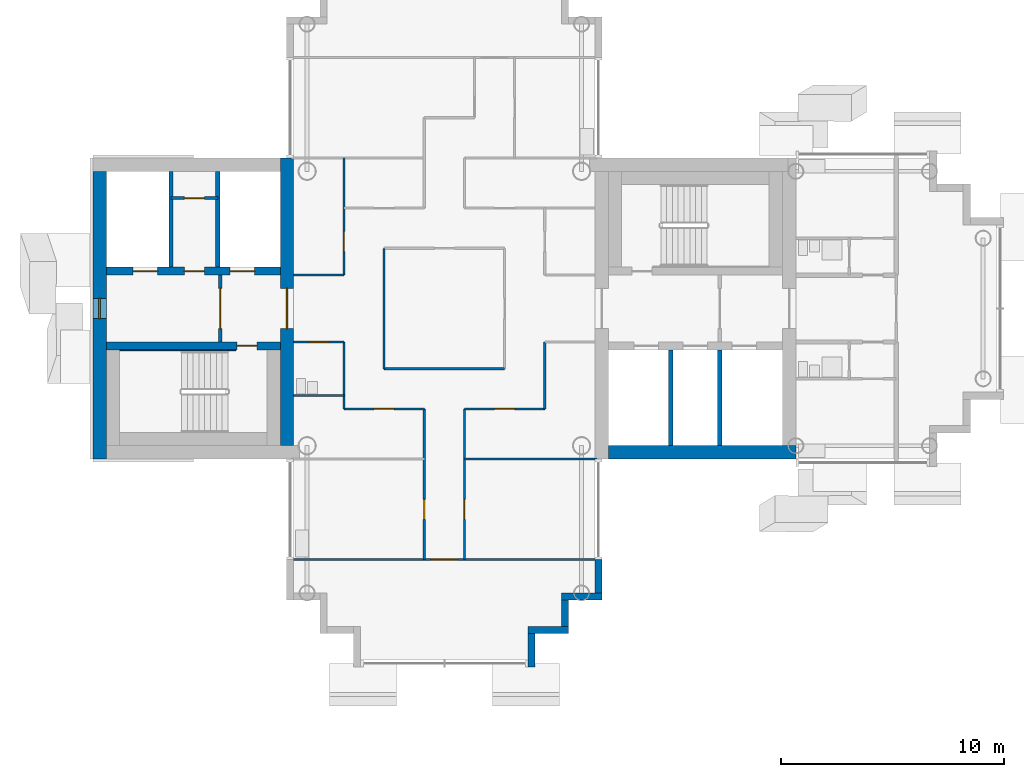
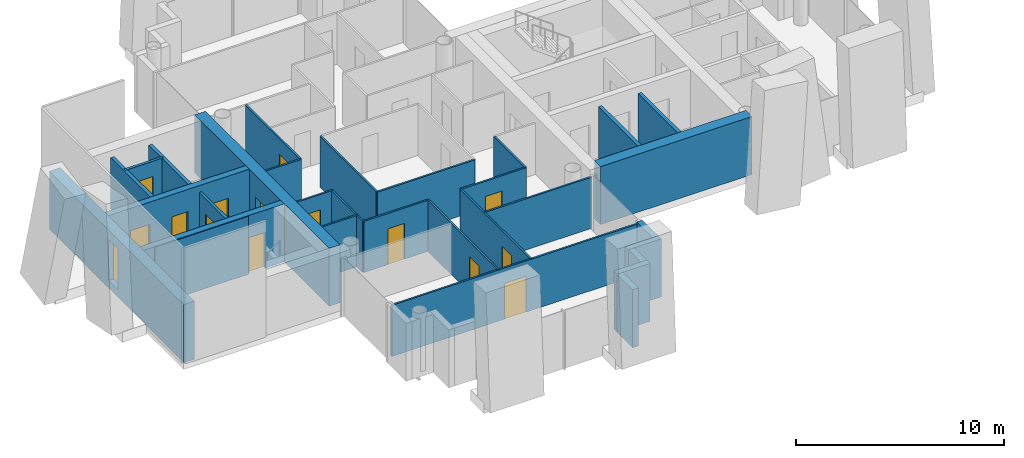
# One storey, part 6 of 18: 31 walls, 14 doors, 1 window, 15 openings.
"""IFC4 building model written with IfcOpenShell, lengths in metres."""

from ifc_helpers import new_model, si_unit, direction, frame, frame_2d, origin, place, context, subcontext, project, spatial, rectangle, extrude, material, layer, layer_set, type_object, element, fill, save


model = new_model("IFC4")

# Units and contexts
model_context = context("Model", 3, precision=1e-05, world=origin(), true_north=direction((0.0, 1.0)))
body_context = subcontext(model_context, "Body", "Model", "MODEL_VIEW")
ifc_project = project(units=[si_unit("LENGTHUNIT", "METRE"), si_unit("AREAUNIT", "SQUARE_METRE"), si_unit("VOLUMEUNIT", "CUBIC_METRE"), si_unit("PLANEANGLEUNIT", "RADIAN"), si_unit("MASSUNIT", "GRAM", prefix="KILO")], contexts=[model_context])

# Site, building, storey
site_placement = place(None, origin())
site = spatial("IfcSite", under=ifc_project, at=site_placement, CompositionType="ELEMENT")
building_placement = place(site_placement, origin())
building = spatial("IfcBuilding", under=site, at=building_placement, Name="Ipe Terrace Towers", CompositionType="ELEMENT")
storey_placement = place(building_placement, frame((0.0, 0.0, 196.0)))
storey = spatial("IfcBuildingStorey", under=building, at=storey_placement, Name="L54", CompositionType="ELEMENT", Elevation=196.0)

# Walls
ifc_material_1 = material(Name="Concrete C40/50 with buff precast cladding", Category="concrete")
ifc_layer_1 = layer(ifc_material_1, 0.320068359375)
ifc_layer_set_1 = layer_set([ifc_layer_1], Name="BUFF CLADDING WALL 320")
wall_type_1 = type_object("IfcWallType", Name="BUFF CLADDING WALL 320", PredefinedType="STANDARD", material=ifc_layer_set_1)
wall_1_placement = place(storey_placement, frame((-32.090087890625, -16.070068359375, -0.300048828125), z_axis=(0.0, 0.0, 1.0), x_axis=(0.0, 1.0, 0.0)))
element("IfcWall", 1, at=wall_1_placement, inside=storey, type_object=wall_type_1, Name="T1-W-L54-09a wall", PredefinedType="STANDARD", context=body_context, shape_type="SweptSolid", body=[
    extrude(rectangle(XDim=1.5, YDim=0.320068359375, at=frame_2d((0.75, 0.0))), origin(), (0.0, 0.0, 1.0), 3.400146484375),
])
wall_2_placement = place(storey_placement, frame((-32.25, -14.409912109375, -0.300048828125), z_axis=(0.0, 0.0, 1.0), x_axis=(1.0, 0.0, 0.0)))
element("IfcWall", 2, at=wall_2_placement, inside=storey, type_object=wall_type_1, Name="T1-W-L54-10a wall", PredefinedType="STANDARD", context=body_context, shape_type="SweptSolid", body=[
    extrude(rectangle(XDim=1.820068359375, YDim=0.320068359375, at=frame_2d((0.91015625, 0.0))), origin(), (0.0, 0.0, 1.0), 3.400146484375),
])
wall_3_placement = place(storey_placement, frame((-30.590087890625, -14.25, -0.300048828125), z_axis=(0.0, 0.0, 1.0), x_axis=(0.0, 1.0, 0.0)))
element("IfcWall", 3, at=wall_3_placement, inside=storey, type_object=wall_type_1, Name="T1-W-L54-11a wall", PredefinedType="STANDARD", context=body_context, shape_type="SweptSolid", body=[
    extrude(rectangle(XDim=1.179931640625, YDim=0.320068359375, at=frame_2d((0.58984375, 0.0))), origin(), (0.0, 0.0, 1.0), 3.400146484375),
])
wall_4_placement = place(storey_placement, frame((-30.75, -12.909912109375, -0.300048828125), z_axis=(0.0, 0.0, 1.0), x_axis=(1.0, 0.0, 0.0)))
element("IfcWall", 4, at=wall_4_placement, inside=storey, type_object=wall_type_1, Name="T1-W-L54-12a wall", PredefinedType="STANDARD", context=body_context, shape_type="SweptSolid", body=[
    extrude(rectangle(XDim=1.820068359375, YDim=0.320068359375, at=frame_2d((0.91015625, 0.0))), origin(), (0.0, 0.0, 1.0), 3.400146484375),
])
wall_5_placement = place(storey_placement, frame((-29.090087890625, -12.75, -0.300048828125), z_axis=(0.0, 0.0, 1.0), x_axis=(0.0, 1.0, 0.0)))
element("IfcWall", 5, at=wall_5_placement, inside=storey, type_object=wall_type_1, Name="T1-W-L54-13a wall", PredefinedType="STANDARD", context=body_context, shape_type="SweptSolid", body=[
    extrude(rectangle(XDim=1.5, YDim=0.320068359375, at=frame_2d((0.75, 0.0))), origin(), (0.0, 0.0, 1.0), 3.400146484375),
])
ifc_material_2 = material(Name="Gypsum board partition", Category="plasterboard")
ifc_layer_2 = layer(ifc_material_2, 0.10009765625)
ifc_layer_set_2 = layer_set([ifc_layer_2], Name="Gypsum board partition 100 mm")
wall_type_2 = type_object("IfcWallType", Name="Gypsum board partition 100 mm", PredefinedType="PARTITIONING", material=ifc_layer_set_2)
wall_6_placement = place(storey_placement, frame((-40.5, -4.5, 0.0), z_axis=(0.0, 0.0, 1.0), x_axis=(0.0, 1.0, 0.0)))
element("IfcWall", 6, at=wall_6_placement, inside=storey, type_object=wall_type_2, Name="Gypsum board partition T1 L54 W01", PredefinedType="PARTITIONING", context=body_context, shape_type="SweptSolid", body=[
    extrude(rectangle(XDim=3.0, YDim=0.10009765625, at=frame_2d((1.5, 0.0))), origin(), (0.0, 0.0, 1.0), 3.0),
])

# Wall, opening, door
wall_7_placement = place(storey_placement, frame((-40.5, 1.5, 0.0), z_axis=(0.0, 0.0, 1.0), x_axis=(0.0, 1.0, 0.0)))
wall_7 = element("IfcWall", 7, at=wall_7_placement, inside=storey, type_object=wall_type_2, Name="Gypsum board partition T1 L54 W02", PredefinedType="PARTITIONING", context=body_context, shape_type="SweptSolid", body=[
    extrude(rectangle(XDim=5.25, YDim=0.10009765625, at=frame_2d((2.625, 0.0))), origin(), (0.0, 0.0, 1.0), 3.0),
])
opening_1_placement = place(wall_7_placement, frame((1.050048828125, 0.0, 0.0)))
opening_1 = element("IfcOpeningElement", 8, at=opening_1_placement, cuts=wall_7, Name="Opening T1-Z4D-07", PredefinedType="OPENING", context=body_context, shape_type="SweptSolid", body=[
    extrude(rectangle(XDim=0.89990234375, YDim=2.10009765625, at=frame_2d((0.449951171875, 1.050048828125))), frame((0.0, 0.06005859375, 0.0), z_axis=(0.0, -1.0, 0.0), x_axis=(1.0, 0.0, 0.0)), (0.0, 0.0, 1.0), 0.1201171875),
])
ifc_material_3 = material(Name="Timber door leaf", Category="wood")
door_type_1 = type_object("IfcDoorType", Name="Lounge door 900 x 2100", OperationType="NOTDEFINED", PredefinedType="DOOR", material=ifc_material_3)
door_1_placement = place(opening_1_placement, origin())
door_1 = element("IfcDoor", 9, at=door_1_placement, inside=storey, type_object=door_type_1, Name="Lounge door T1-Z4D-07", OperationType="SINGLE_SWING_RIGHT", OverallHeight=2.10009765625, OverallWidth=0.89990234375, PredefinedType="DOOR", context=body_context, shape_type="SweptSolid", body=[
    extrude(rectangle(XDim=0.89990234375, YDim=2.10009765625, at=frame_2d((0.449951171875, 1.050048828125))), frame((0.0, 0.02490234375, 0.0), z_axis=(0.0, -1.0, 0.0), x_axis=(1.0, 0.0, 0.0)), (0.0, 0.0, 1.0), 0.050048828125),
])
fill(opening_1, door_1)

# Wall
wall_8_placement = place(storey_placement, frame((-38.699951171875, -2.699951171875, 0.0), z_axis=(0.0, 0.0, 1.0), x_axis=(0.0, 1.0, 0.0)))
element("IfcWall", 10, at=wall_8_placement, inside=storey, type_object=wall_type_2, Name="Gypsum board partition T1 L54 W03", PredefinedType="PARTITIONING", context=body_context, shape_type="SweptSolid", body=[
    extrude(rectangle(XDim=5.39990234375, YDim=0.10009765625, at=frame_2d((2.699951171875, 0.0))), origin(), (0.0, 0.0, 1.0), 3.0),
])

# Wall, opening, door
wall_9_placement = place(storey_placement, frame((-36.89990234375, -11.25, 0.0), z_axis=(0.0, 0.0, 1.0), x_axis=(0.0, 1.0, 0.0)))
wall_9 = element("IfcWall", 11, at=wall_9_placement, inside=storey, type_object=wall_type_2, Name="Gypsum board partition T1 L54 W04", PredefinedType="PARTITIONING", context=body_context, shape_type="SweptSolid", body=[
    extrude(rectangle(XDim=6.75, YDim=0.10009765625, at=frame_2d((3.375, 0.0))), origin(), (0.0, 0.0, 1.0), 3.0),
])
opening_2_placement = place(wall_9_placement, frame((1.800048828125, 0.0, 0.0)))
opening_2 = element("IfcOpeningElement", 12, at=opening_2_placement, cuts=wall_9, Name="Opening T1-Z4D-14", PredefinedType="OPENING", context=body_context, shape_type="SweptSolid", body=[
    extrude(rectangle(XDim=0.89990234375, YDim=2.10009765625, at=frame_2d((0.449951171875, 1.050048828125))), frame((0.0, 0.06005859375, 0.0), z_axis=(0.0, -1.0, 0.0), x_axis=(1.0, 0.0, 0.0)), (0.0, 0.0, 1.0), 0.1201171875),
])
door_2_placement = place(opening_2_placement, origin())
door_2 = element("IfcDoor", 13, at=door_2_placement, inside=storey, type_object=door_type_1, Name="Lounge door T1-Z4D-14", OperationType="SINGLE_SWING_RIGHT", OverallHeight=2.10009765625, OverallWidth=0.89990234375, PredefinedType="DOOR", context=body_context, shape_type="SweptSolid", body=[
    extrude(rectangle(XDim=0.89990234375, YDim=2.10009765625, at=frame_2d((0.449951171875, 1.050048828125))), frame((0.0, 0.02490234375, 0.0), z_axis=(0.0, -1.0, 0.0), x_axis=(1.0, 0.0, 0.0)), (0.0, 0.0, 1.0), 0.050048828125),
])
fill(opening_2, door_2)

wall_10_placement = place(storey_placement, frame((-35.10009765625, -11.25, 0.0), z_axis=(0.0, 0.0, 1.0), x_axis=(0.0, 1.0, 0.0)))
wall_10 = element("IfcWall", 14, at=wall_10_placement, inside=storey, type_object=wall_type_2, Name="Gypsum board partition T1 L54 W06", PredefinedType="PARTITIONING", context=body_context, shape_type="SweptSolid", body=[
    extrude(rectangle(XDim=6.75, YDim=0.10009765625, at=frame_2d((3.375, 0.0))), origin(), (0.0, 0.0, 1.0), 3.0),
])
opening_3_placement = place(wall_10_placement, frame((1.800048828125, 0.0, 0.0)))
opening_3 = element("IfcOpeningElement", 15, at=opening_3_placement, cuts=wall_10, Name="Opening T1-Z4D-13", PredefinedType="OPENING", context=body_context, shape_type="SweptSolid", body=[
    extrude(rectangle(XDim=0.89990234375, YDim=2.10009765625, at=frame_2d((0.449951171875, 1.050048828125))), frame((0.0, 0.06005859375, 0.0), z_axis=(0.0, -1.0, 0.0), x_axis=(1.0, 0.0, 0.0)), (0.0, 0.0, 1.0), 0.1201171875),
])
door_3_placement = place(opening_3_placement, origin())
door_3 = element("IfcDoor", 16, at=door_3_placement, inside=storey, type_object=door_type_1, Name="Lounge door T1-Z4D-13", OperationType="SINGLE_SWING_LEFT", OverallHeight=2.10009765625, OverallWidth=0.89990234375, PredefinedType="DOOR", context=body_context, shape_type="SweptSolid", body=[
    extrude(rectangle(XDim=0.89990234375, YDim=2.10009765625, at=frame_2d((0.449951171875, 1.050048828125))), frame((0.0, 0.02490234375, 0.0), z_axis=(0.0, -1.0, 0.0), x_axis=(1.0, 0.0, 0.0)), (0.0, 0.0, 1.0), 0.050048828125),
])
fill(opening_3, door_3)

# Wall
wall_11_placement = place(storey_placement, frame((-31.5, -4.5, 0.0), z_axis=(0.0, 0.0, 1.0), x_axis=(0.0, 1.0, 0.0)))
element("IfcWall", 17, at=wall_11_placement, inside=storey, type_object=wall_type_2, Name="Gypsum board partition T1 L54 W11", PredefinedType="PARTITIONING", context=body_context, shape_type="SweptSolid", body=[
    extrude(rectangle(XDim=3.0, YDim=0.10009765625, at=frame_2d((1.5, 0.0))), origin(), (0.0, 0.0, 1.0), 3.0),
])

# Wall, opening, door
wall_12_placement = place(storey_placement, frame((-42.85009765625, -11.25, 0.0), z_axis=(0.0, 0.0, 1.0), x_axis=(1.0, 0.0, 0.0)))
wall_12 = element("IfcWall", 18, at=wall_12_placement, inside=storey, type_object=wall_type_2, Name="Gypsum board partition T1 L54 W18", PredefinedType="PARTITIONING", context=body_context, shape_type="SweptSolid", body=[
    extrude(rectangle(XDim=13.7001953125, YDim=0.10009765625, at=frame_2d((6.85009765625, 0.0))), origin(), (0.0, 0.0, 1.0), 3.0),
])
opening_4_placement = place(wall_12_placement, frame((6.25, 0.0, 0.0)))
opening_4 = element("IfcOpeningElement", 19, at=opening_4_placement, cuts=wall_12, Name="Opening T1-Z4D-15", PredefinedType="OPENING", context=body_context, shape_type="SweptSolid", body=[
    extrude(rectangle(XDim=1.199951171875, YDim=2.10009765625, at=frame_2d((0.60009765625, 1.050048828125))), frame((0.0, 0.06005859375, 0.0), z_axis=(0.0, -1.0, 0.0), x_axis=(1.0, 0.0, 0.0)), (0.0, 0.0, 1.0), 0.1201171875),
])
ifc_material_4 = material(Name="Timber door leaf", Category="wood")
door_type_2 = type_object("IfcDoorType", Name="Lounge door 1200 x 2100", OperationType="NOTDEFINED", PredefinedType="DOOR", material=ifc_material_4)
door_4_placement = place(opening_4_placement, origin())
door_4 = element("IfcDoor", 20, at=door_4_placement, inside=storey, type_object=door_type_2, Name="Lounge door T1-Z4D-15", OperationType="SINGLE_SWING_RIGHT", OverallHeight=2.10009765625, OverallWidth=1.199951171875, PredefinedType="DOOR", context=body_context, shape_type="SweptSolid", body=[
    extrude(rectangle(XDim=1.199951171875, YDim=2.10009765625, at=frame_2d((0.60009765625, 1.050048828125))), frame((0.0, 0.02490234375, 0.0), z_axis=(0.0, -1.0, 0.0), x_axis=(1.0, 0.0, 0.0)), (0.0, 0.0, 1.0), 0.050048828125),
])
fill(opening_4, door_4)

# Wall
wall_13_placement = place(storey_placement, frame((-35.10009765625, -6.75, 0.0), z_axis=(0.0, 0.0, 1.0), x_axis=(1.0, 0.0, 0.0)))
element("IfcWall", 21, at=wall_13_placement, inside=storey, type_object=wall_type_2, Name="Gypsum board partition T1 L54 W20", PredefinedType="PARTITIONING", context=body_context, shape_type="SweptSolid", body=[
    extrude(rectangle(XDim=5.9501953125, YDim=0.10009765625, at=frame_2d((2.97509765625, 0.0))), origin(), (0.0, 0.0, 1.0), 3.0),
])

# Wall, opening, door
wall_14_placement = place(storey_placement, frame((-40.5, -4.5, 0.0), z_axis=(0.0, 0.0, 1.0), x_axis=(1.0, 0.0, 0.0)))
wall_14 = element("IfcWall", 22, at=wall_14_placement, inside=storey, type_object=wall_type_2, Name="Gypsum board partition T1 L54 W21", PredefinedType="PARTITIONING", context=body_context, shape_type="SweptSolid", body=[
    extrude(rectangle(XDim=3.60009765625, YDim=0.10009765625, at=frame_2d((1.800048828125, 0.0))), origin(), (0.0, 0.0, 1.0), 3.0),
])
opening_5_placement = place(wall_14_placement, frame((1.35009765625, 0.0, 0.0)))
opening_5 = element("IfcOpeningElement", 23, at=opening_5_placement, cuts=wall_14, Name="Opening T1-Z4D-08", PredefinedType="OPENING", context=body_context, shape_type="SweptSolid", body=[
    extrude(rectangle(XDim=0.89990234375, YDim=2.10009765625, at=frame_2d((0.449951171875, 1.050048828125))), frame((0.0, 0.06005859375, 0.0), z_axis=(0.0, -1.0, 0.0), x_axis=(1.0, 0.0, 0.0)), (0.0, 0.0, 1.0), 0.1201171875),
])
door_5_placement = place(opening_5_placement, origin())
door_5 = element("IfcDoor", 24, at=door_5_placement, inside=storey, type_object=door_type_1, Name="Lounge door T1-Z4D-08", OperationType="SINGLE_SWING_LEFT", OverallHeight=2.10009765625, OverallWidth=0.89990234375, PredefinedType="DOOR", context=body_context, shape_type="SweptSolid", body=[
    extrude(rectangle(XDim=0.89990234375, YDim=2.10009765625, at=frame_2d((0.449951171875, 1.050048828125))), frame((0.0, 0.02490234375, 0.0), z_axis=(0.0, -1.0, 0.0), x_axis=(1.0, 0.0, 0.0)), (0.0, 0.0, 1.0), 0.050048828125),
])
fill(opening_5, door_5)

wall_15_placement = place(storey_placement, frame((-35.10009765625, -4.5, 0.0), z_axis=(0.0, 0.0, 1.0), x_axis=(1.0, 0.0, 0.0)))
wall_15 = element("IfcWall", 25, at=wall_15_placement, inside=storey, type_object=wall_type_2, Name="Gypsum board partition T1 L54 W22", PredefinedType="PARTITIONING", context=body_context, shape_type="SweptSolid", body=[
    extrude(rectangle(XDim=3.60009765625, YDim=0.10009765625, at=frame_2d((1.800048828125, 0.0))), origin(), (0.0, 0.0, 1.0), 3.0),
])
opening_6_placement = place(wall_15_placement, frame((1.35009765625, 0.0, 0.0)))
opening_6 = element("IfcOpeningElement", 26, at=opening_6_placement, cuts=wall_15, Name="Opening T1-Z4D-09", PredefinedType="OPENING", context=body_context, shape_type="SweptSolid", body=[
    extrude(rectangle(XDim=0.89990234375, YDim=2.10009765625, at=frame_2d((0.449951171875, 1.050048828125))), frame((0.0, 0.06005859375, 0.0), z_axis=(0.0, -1.0, 0.0), x_axis=(1.0, 0.0, 0.0)), (0.0, 0.0, 1.0), 0.1201171875),
])
door_6_placement = place(opening_6_placement, origin())
door_6 = element("IfcDoor", 27, at=door_6_placement, inside=storey, type_object=door_type_1, Name="Lounge door T1-Z4D-09", OperationType="SINGLE_SWING_LEFT", OverallHeight=2.10009765625, OverallWidth=0.89990234375, PredefinedType="DOOR", context=body_context, shape_type="SweptSolid", body=[
    extrude(rectangle(XDim=0.89990234375, YDim=2.10009765625, at=frame_2d((0.449951171875, 1.050048828125))), frame((0.0, 0.02490234375, 0.0), z_axis=(0.0, -1.0, 0.0), x_axis=(1.0, 0.0, 0.0)), (0.0, 0.0, 1.0), 0.050048828125),
])
fill(opening_6, door_6)

# Walls
wall_16_placement = place(storey_placement, frame((-42.75, -3.89990234375, 0.0), z_axis=(0.0, 0.0, 1.0), x_axis=(1.0, 0.0, 0.0)))
element("IfcWall", 28, at=wall_16_placement, inside=storey, type_object=wall_type_2, Name="Gypsum board partition T1 L54 W23", PredefinedType="PARTITIONING", context=body_context, shape_type="SweptSolid", body=[
    extrude(rectangle(XDim=2.25, YDim=0.10009765625, at=frame_2d((1.125, 0.0))), origin(), (0.0, 0.0, 1.0), 3.0),
])
wall_17_placement = place(storey_placement, frame((-38.699951171875, -2.699951171875, 0.0), z_axis=(0.0, 0.0, 1.0), x_axis=(1.0, 0.0, 0.0)))
element("IfcWall", 29, at=wall_17_placement, inside=storey, type_object=wall_type_2, Name="Gypsum board partition T1 L54 W25", PredefinedType="PARTITIONING", context=body_context, shape_type="SweptSolid", body=[
    extrude(rectangle(XDim=5.39990234375, YDim=0.10009765625, at=frame_2d((2.699951171875, 0.0))), origin(), (0.0, 0.0, 1.0), 3.0),
])

# Wall, opening, door
wall_18_placement = place(storey_placement, frame((-42.75, -1.5, 0.0), z_axis=(0.0, 0.0, 1.0), x_axis=(1.0, 0.0, 0.0)))
wall_18 = element("IfcWall", 30, at=wall_18_placement, inside=storey, type_object=wall_type_2, Name="Gypsum board partition T1 L54 W26", PredefinedType="PARTITIONING", context=body_context, shape_type="SweptSolid", body=[
    extrude(rectangle(XDim=2.25, YDim=0.10009765625, at=frame_2d((1.125, 0.0))), origin(), (0.0, 0.0, 1.0), 3.0),
])
opening_7_placement = place(wall_18_placement, frame((0.675048828125, 0.0, 0.0)))
opening_7 = element("IfcOpeningElement", 31, at=opening_7_placement, cuts=wall_18, Name="Opening T1-Z4D-03", PredefinedType="OPENING", context=body_context, shape_type="SweptSolid", body=[
    extrude(rectangle(XDim=0.89990234375, YDim=2.10009765625, at=frame_2d((0.449951171875, 1.050048828125))), frame((0.0, 0.06005859375, 0.0), z_axis=(0.0, -1.0, 0.0), x_axis=(1.0, 0.0, 0.0)), (0.0, 0.0, 1.0), 0.1201171875),
])
ifc_material_5 = material(Name="Timber door leaf", Category="wood")
door_type_3 = type_object("IfcDoorType", Name="Bathroom door 900 x 2100", OperationType="NOTDEFINED", PredefinedType="DOOR", material=ifc_material_5)
door_7_placement = place(opening_7_placement, origin())
door_7 = element("IfcDoor", 32, at=door_7_placement, inside=storey, type_object=door_type_3, Name="Bathroom door T1-Z4D-03", OperationType="SINGLE_SWING_RIGHT", OverallHeight=2.10009765625, OverallWidth=0.89990234375, PredefinedType="DOOR", context=body_context, shape_type="SweptSolid", body=[
    extrude(rectangle(XDim=0.89990234375, YDim=2.10009765625, at=frame_2d((0.449951171875, 1.050048828125))), frame((0.0, 0.02490234375, 0.0), z_axis=(0.0, -1.0, 0.0), x_axis=(1.0, 0.0, 0.0)), (0.0, 0.0, 1.0), 0.050048828125),
])
fill(opening_7, door_7)

# Wall
wall_19_placement = place(storey_placement, frame((-42.75, 1.5, 0.0), z_axis=(0.0, 0.0, 1.0), x_axis=(1.0, 0.0, 0.0)))
element("IfcWall", 33, at=wall_19_placement, inside=storey, type_object=wall_type_2, Name="Gypsum board partition T1 L54 W29", PredefinedType="PARTITIONING", context=body_context, shape_type="SweptSolid", body=[
    extrude(rectangle(XDim=2.25, YDim=0.10009765625, at=frame_2d((1.125, 0.0))), origin(), (0.0, 0.0, 1.0), 3.0),
])

# Wall, opening, door
ifc_material_6 = material(Name="Gypsum board partition", Category="plasterboard")
ifc_layer_3 = layer(ifc_material_6, 0.14990234375)
ifc_layer_set_3 = layer_set([ifc_layer_3], Name="Gypsum board partition 150 mm")
wall_type_3 = type_object("IfcWallType", Name="Gypsum board partition 150 mm", PredefinedType="PARTITIONING", material=ifc_layer_set_3)
wall_20_placement = place(storey_placement, frame((-46.050048828125, 1.5, 0.0), z_axis=(0.0, 0.0, 1.0), x_axis=(0.0, -1.0, 0.0)))
wall_20 = element("IfcWall", 34, at=wall_20_placement, inside=storey, type_object=wall_type_3, Name="Gypsum board partition T1 L54 t1c2-lobby-wall", PredefinedType="PARTITIONING", context=body_context, shape_type="SweptSolid", body=[
    extrude(rectangle(XDim=3.0, YDim=0.14990234375, at=frame_2d((1.5, 0.0))), origin(), (0.0, 0.0, 1.0), 3.0),
])
opening_8_placement = place(wall_20_placement, frame((0.60009765625, 0.0, 0.0)))
opening_8 = element("IfcOpeningElement", 35, at=opening_8_placement, cuts=wall_20, Name="Opening T1C2-VD", PredefinedType="OPENING", context=body_context, shape_type="SweptSolid", body=[
    extrude(rectangle(XDim=1.800048828125, YDim=2.10009765625, at=frame_2d((0.89990234375, 1.050048828125))), frame((0.0, 0.0849609375, 0.0), z_axis=(0.0, -1.0, 0.0), x_axis=(1.0, 0.0, 0.0)), (0.0, 0.0, 1.0), 0.169921875),
])
ifc_material_7 = material(Name="Fire-rated timber door leaf", Category="wood")
door_type_4 = type_object("IfcDoorType", Name="Lobby door 1800 x 2100 FD60", OperationType="NOTDEFINED", PredefinedType="DOOR", material=ifc_material_7)
door_8_placement = place(opening_8_placement, origin())
door_8 = element("IfcDoor", 36, at=door_8_placement, inside=storey, type_object=door_type_4, Name="Lobby door T1C2-VD", OperationType="SINGLE_SWING_LEFT", OverallHeight=2.10009765625, OverallWidth=1.800048828125, PredefinedType="DOOR", context=body_context, shape_type="SweptSolid", body=[
    extrude(rectangle(XDim=1.800048828125, YDim=2.10009765625, at=frame_2d((0.89990234375, 1.050048828125))), frame((0.0, 0.02490234375, 0.0), z_axis=(0.0, -1.0, 0.0), x_axis=(1.0, 0.0, 0.0)), (0.0, 0.0, 1.0), 0.050048828125),
])
fill(opening_8, door_8)

wall_21_placement = place(storey_placement, frame((-46.14990234375, 4.949951171875, 0.0), z_axis=(0.0, 0.0, 1.0), x_axis=(-1.0, 0.0, 0.0)))
wall_21 = element("IfcWall", 37, at=wall_21_placement, inside=storey, type_object=wall_type_3, Name="Gypsum board partition T1 L54 t1c2-q-back", PredefinedType="PARTITIONING", context=body_context, shape_type="SweptSolid", body=[
    extrude(rectangle(XDim=2.10009765625, YDim=0.14990234375, at=frame_2d((1.050048828125, 0.0))), origin(), (0.0, 0.0, 1.0), 3.0),
])
opening_9_placement = place(wall_21_placement, frame((0.60009765625, 0.0, 0.0)))
opening_9 = element("IfcOpeningElement", 38, at=opening_9_placement, cuts=wall_21, Name="Opening T1C2-RB", PredefinedType="OPENING", context=body_context, shape_type="SweptSolid", body=[
    extrude(rectangle(XDim=0.89990234375, YDim=2.10009765625, at=frame_2d((0.449951171875, 1.050048828125))), frame((0.0, 0.0849609375, 0.0), z_axis=(0.0, -1.0, 0.0), x_axis=(1.0, 0.0, 0.0)), (0.0, 0.0, 1.0), 0.169921875),
])
ifc_material_8 = material(Name="Fire-rated timber door leaf", Category="wood")
door_type_5 = type_object("IfcDoorType", Name="Service door 900 x 2100 FD60", OperationType="NOTDEFINED", PredefinedType="DOOR", material=ifc_material_8)
door_9_placement = place(opening_9_placement, origin())
door_9 = element("IfcDoor", 39, at=door_9_placement, inside=storey, type_object=door_type_5, Name="Service door T1C2-RB", OperationType="SINGLE_SWING_LEFT", OverallHeight=2.10009765625, OverallWidth=0.89990234375, PredefinedType="DOOR", context=body_context, shape_type="SweptSolid", body=[
    extrude(rectangle(XDim=0.89990234375, YDim=2.10009765625, at=frame_2d((0.449951171875, 1.050048828125))), frame((0.0, 0.02490234375, 0.0), z_axis=(0.0, -1.0, 0.0), x_axis=(1.0, 0.0, 0.0)), (0.0, 0.0, 1.0), 0.050048828125),
])
fill(opening_9, door_9)

# Walls
ifc_material_9 = material(Name="Gypsum board party wall", Category="plasterboard")
ifc_layer_4 = layer(ifc_material_9, 0.199951171875)
ifc_layer_set_4 = layer_set([ifc_layer_4], Name="Gypsum board party wall 200 mm")
wall_type_4 = type_object("IfcWallType", Name="Gypsum board party wall 200 mm", PredefinedType="SOLIDWALL", material=ifc_layer_set_4)
for number, where, z_axis, x_axis, name in (
    (40, (-25.85009765625, -6.14990234375, 0.0), (0.0, 0.0, 1.0), (0.0, 1.0, 0.0), "Gypsum board party wall T1 L54 t1c1-shaft-div1"),
    (41, (-23.64990234375, -6.14990234375, 0.0), (0.0, 0.0, 1.0), (0.0, 1.0, 0.0), "Gypsum board party wall T1 L54 t1c1-shaft-div2"),
    (42, (-48.25, 6.14990234375, 0.0), (0.0, 0.0, 1.0), (0.0, -1.0, 0.0), "Gypsum board party wall T1 L54 t1c2-shaft-div2"),
    (43, (-46.14990234375, 6.14990234375, 0.0), (0.0, 0.0, 1.0), (0.0, -1.0, 0.0), "Gypsum board party wall T1 L54 t1c2-shaft-div1"),
):
    element("IfcWall", number, at=place(storey_placement, frame(where, z_axis=z_axis, x_axis=x_axis)), inside=storey, type_object=wall_type_4, Name=name, PredefinedType="SOLIDWALL", context=body_context, shape_type="SweptSolid", body=[
        extrude(rectangle(XDim=4.2998046875, YDim=0.199951171875, at=frame_2d((2.14990234375, 0.0))), origin(), (0.0, 0.0, 1.0), 3.0),
    ])

# Wall, opening, door
ifc_material_10 = material(Name="Concrete C40/50", Category="concrete")
ifc_layer_5 = layer(ifc_material_10, 0.35009765625)
ifc_layer_set_5 = layer_set([ifc_layer_5], Name="RW350 CORE SPINE WALL 350 C40-50")
wall_type_5 = type_object("IfcWallType", Name="RW350 CORE SPINE WALL 350 C40-50", PredefinedType="SHEAR", material=ifc_layer_set_5)
wall_22_placement = place(storey_placement, frame((-51.14990234375, -1.675048828125, 0.0), z_axis=(0.0, 0.0, 1.0), x_axis=(1.0, 0.0, 0.0)))
wall_22 = element("IfcWall", 44, at=wall_22_placement, inside=storey, type_object=wall_type_5, Name="Core spine wall T1-C2-Z4-SW1", PredefinedType="SHEAR", context=body_context, shape_type="SweptSolid", body=[
    extrude(rectangle(XDim=7.7998046875, YDim=0.35009765625, at=frame_2d((3.89990234375, 0.0))), origin(), (0.0, 0.0, 1.0), 3.39990234375),
])
opening_10_placement = place(wall_22_placement, frame((5.85009765625, 0.0, 0.0)))
opening_10 = element("IfcOpeningElement", 45, at=opening_10_placement, cuts=wall_22, Name="Opening T1C2-SD", PredefinedType="OPENING", context=body_context, shape_type="SweptSolid", body=[
    extrude(rectangle(XDim=0.89990234375, YDim=2.10009765625, at=frame_2d((0.449951171875, 1.050048828125))), frame((0.0, 0.18505859375, 0.0), z_axis=(0.0, -1.0, 0.0), x_axis=(1.0, 0.0, 0.0)), (0.0, 0.0, 1.0), 0.3701171875),
])
ifc_material_11 = material(Name="Fire-rated timber door leaf", Category="wood")
door_type_6 = type_object("IfcDoorType", Name="Stair door 900 x 2100 FD60", OperationType="NOTDEFINED", PredefinedType="DOOR", material=ifc_material_11)
door_10_placement = place(opening_10_placement, origin())
door_10 = element("IfcDoor", 46, at=door_10_placement, inside=storey, type_object=door_type_6, Name="Stair door T1C2-SD", OperationType="SINGLE_SWING_RIGHT", OverallHeight=2.10009765625, OverallWidth=0.89990234375, PredefinedType="DOOR", context=body_context, shape_type="SweptSolid", body=[
    extrude(rectangle(XDim=0.89990234375, YDim=2.10009765625, at=frame_2d((0.449951171875, 1.050048828125))), frame((0.0, 0.02490234375, 0.0), z_axis=(0.0, -1.0, 0.0), x_axis=(1.0, 0.0, 0.0)), (0.0, 0.0, 1.0), 0.050048828125),
])
fill(opening_10, door_10)

# Wall, openings, doors
wall_23_placement = place(storey_placement, frame((-51.14990234375, 1.675048828125, 0.0), z_axis=(0.0, 0.0, 1.0), x_axis=(1.0, 0.0, 0.0)))
wall_23 = element("IfcWall", 47, at=wall_23_placement, inside=storey, type_object=wall_type_5, Name="Core spine wall T1-C2-Z4-SW2", PredefinedType="SHEAR", context=body_context, shape_type="SweptSolid", body=[
    extrude(rectangle(XDim=7.7998046875, YDim=0.35009765625, at=frame_2d((3.89990234375, 0.0))), origin(), (0.0, 0.0, 1.0), 3.39990234375),
])
opening_11_placement = place(wall_23_placement, frame((5.550048828125, 0.0, 0.0)))
opening_11 = element("IfcOpeningElement", 48, at=opening_11_placement, cuts=wall_23, Name="Opening T1C2-LD1", PredefinedType="OPENING", context=body_context, shape_type="SweptSolid", body=[
    extrude(rectangle(XDim=1.10009765625, YDim=2.10009765625, at=frame_2d((0.550048828125, 1.050048828125))), frame((0.0, 0.18505859375, 0.0), z_axis=(0.0, -1.0, 0.0), x_axis=(1.0, 0.0, 0.0)), (0.0, 0.0, 1.0), 0.3701171875),
])
opening_12_placement = place(wall_23_placement, frame((1.199951171875, 0.0, 0.0)))
opening_12 = element("IfcOpeningElement", 49, at=opening_12_placement, cuts=wall_23, Name="Opening T1C2-LD3", PredefinedType="OPENING", context=body_context, shape_type="SweptSolid", body=[
    extrude(rectangle(XDim=1.10009765625, YDim=2.10009765625, at=frame_2d((0.550048828125, 1.050048828125))), frame((0.0, 0.18505859375, 0.0), z_axis=(0.0, -1.0, 0.0), x_axis=(1.0, 0.0, 0.0)), (0.0, 0.0, 1.0), 0.3701171875),
])
opening_13_placement = place(wall_23_placement, frame((3.5, 0.0, 0.0)))
opening_13 = element("IfcOpeningElement", 50, at=opening_13_placement, cuts=wall_23, Name="Opening T1C2-R1", PredefinedType="OPENING", context=body_context, shape_type="SweptSolid", body=[
    extrude(rectangle(XDim=0.89990234375, YDim=2.10009765625, at=frame_2d((0.449951171875, 1.050048828125))), frame((0.0, 0.18505859375, 0.0), z_axis=(0.0, -1.0, 0.0), x_axis=(1.0, 0.0, 0.0)), (0.0, 0.0, 1.0), 0.3701171875),
])
ifc_material_12 = material(Name="Fire-rated timber door leaf", Category="wood")
door_type_7 = type_object("IfcDoorType", Name="Sliding door 1100 x 2100 FD60", OperationType="SLIDING_TO_LEFT", PredefinedType="DOOR", material=ifc_material_12)
door_11_placement = place(opening_11_placement, origin())
door_11 = element("IfcDoor", 51, at=door_11_placement, inside=storey, type_object=door_type_7, Name="Sliding door T1C2-LD1", OperationType="SLIDING_TO_LEFT", OverallHeight=2.10009765625, OverallWidth=1.10009765625, PredefinedType="DOOR", context=body_context, shape_type="SweptSolid", body=[
    extrude(rectangle(XDim=1.10009765625, YDim=2.10009765625, at=frame_2d((0.550048828125, 1.050048828125))), frame((0.0, 0.02490234375, 0.0), z_axis=(0.0, -1.0, 0.0), x_axis=(1.0, 0.0, 0.0)), (0.0, 0.0, 1.0), 0.050048828125),
])
fill(opening_11, door_11)
door_12_placement = place(opening_12_placement, origin())
door_12 = element("IfcDoor", 52, at=door_12_placement, inside=storey, type_object=door_type_7, Name="Sliding door T1C2-LD3", OperationType="SLIDING_TO_LEFT", OverallHeight=2.10009765625, OverallWidth=1.10009765625, PredefinedType="DOOR", context=body_context, shape_type="SweptSolid", body=[
    extrude(rectangle(XDim=1.10009765625, YDim=2.10009765625, at=frame_2d((0.550048828125, 1.050048828125))), frame((0.0, 0.02490234375, 0.0), z_axis=(0.0, -1.0, 0.0), x_axis=(1.0, 0.0, 0.0)), (0.0, 0.0, 1.0), 0.050048828125),
])
fill(opening_12, door_12)
ifc_material_13 = material(Name="Fire-rated timber door leaf", Category="wood")
door_type_8 = type_object("IfcDoorType", Name="Store door 900 x 2100 FD30S", OperationType="NOTDEFINED", PredefinedType="DOOR", material=ifc_material_13)
door_13_placement = place(opening_13_placement, origin())
door_13 = element("IfcDoor", 53, at=door_13_placement, inside=storey, type_object=door_type_8, Name="Store door T1C2-R1", OperationType="SINGLE_SWING_LEFT", OverallHeight=2.10009765625, OverallWidth=0.89990234375, PredefinedType="DOOR", context=body_context, shape_type="SweptSolid", body=[
    extrude(rectangle(XDim=0.89990234375, YDim=2.10009765625, at=frame_2d((0.449951171875, 1.050048828125))), frame((0.0, 0.02490234375, 0.0), z_axis=(0.0, -1.0, 0.0), x_axis=(1.0, 0.0, 0.0)), (0.0, 0.0, 1.0), 0.050048828125),
])
fill(opening_13, door_13)

# Walls
ifc_material_14 = material(Name="Concrete C40/50", Category="concrete")
ifc_layer_6 = layer(ifc_material_14, 0.050048828125)
ifc_layer_set_6 = layer_set([ifc_layer_6], Name="RW50 CORE INFILL WALL 50 C40-50")
wall_type_6 = type_object("IfcWallType", Name="RW50 CORE INFILL WALL 50 C40-50", PredefinedType="SHEAR", material=ifc_layer_set_6)
wall_24_placement = place(storey_placement, frame((-45.35009765625, -1.875, 0.0), z_axis=(0.0, 0.0, 1.0), x_axis=(-1.0, 0.0, 0.0)))
element("IfcWall", 54, at=wall_24_placement, inside=storey, type_object=wall_type_6, Name="Core infill wall T1-C2-spine-b", PredefinedType="SHEAR", context=body_context, shape_type="SweptSolid", body=[
    extrude(rectangle(XDim=5.199951171875, YDim=0.050048828125, at=frame_2d((2.60009765625, 0.0))), origin(), (0.0, 0.0, 1.0), 3.39990234375),
])
ifc_material_15 = material(Name="Concrete C40/50", Category="concrete")
ifc_layer_7 = layer(ifc_material_15, 0.60009765625)
ifc_layer_set_7 = layer_set([ifc_layer_7], Name="RW600 CORE WALL 600 C40-50")
wall_type_7 = type_object("IfcWallType", Name="RW600 CORE WALL 600 C40-50", PredefinedType="SHEAR", material=ifc_layer_set_7)
wall_25_placement = place(storey_placement, frame((-28.64990234375, -6.449951171875, 0.0), z_axis=(0.0, 0.0, 1.0), x_axis=(1.0, 0.0, 0.0)))
element("IfcWall", 55, at=wall_25_placement, inside=storey, type_object=wall_type_7, Name="Core wall T1-C1-Z4-W01", PredefinedType="SHEAR", context=body_context, shape_type="SweptSolid", body=[
    extrude(rectangle(XDim=8.39990234375, YDim=0.60009765625, at=frame_2d((4.199951171875, 0.0))), origin(), (0.0, 0.0, 1.0), 3.39990234375),
])

# Wall, opening, door
wall_26_placement = place(storey_placement, frame((-43.050048828125, -6.14990234375, 0.0), z_axis=(0.0, 0.0, 1.0), x_axis=(0.0, 1.0, 0.0)))
wall_26 = element("IfcWall", 56, at=wall_26_placement, inside=storey, type_object=wall_type_7, Name="Core wall T1-C2-Z4-W02", PredefinedType="SHEAR", context=body_context, shape_type="SweptSolid", body=[
    extrude(rectangle(XDim=12.89990234375, YDim=0.60009765625, at=frame_2d((6.449951171875, 0.0))), origin(), (0.0, 0.0, 1.0), 3.39990234375),
])
opening_14_placement = place(wall_26_placement, frame((5.25, 0.0, 0.0)))
opening_14 = element("IfcOpeningElement", 57, at=opening_14_placement, cuts=wall_26, Name="Opening T1C2-ND", PredefinedType="OPENING", context=body_context, shape_type="SweptSolid", body=[
    extrude(rectangle(XDim=1.800048828125, YDim=2.10009765625, at=frame_2d((0.89990234375, 1.050048828125))), frame((0.0, 0.31005859375, 0.0), z_axis=(0.0, -1.0, 0.0), x_axis=(1.0, 0.0, 0.0)), (0.0, 0.0, 1.0), 0.6201171875),
])
ifc_material_16 = material(Name="Fire-rated timber door leaf", Category="wood")
door_type_9 = type_object("IfcDoorType", Name="Fire door 1800 x 2100 FD30S", OperationType="NOTDEFINED", PredefinedType="DOOR", material=ifc_material_16)
door_14_placement = place(opening_14_placement, origin())
door_14 = element("IfcDoor", 58, at=door_14_placement, inside=storey, type_object=door_type_9, Name="Fire door T1C2-ND", OperationType="SINGLE_SWING_LEFT", OverallHeight=2.10009765625, OverallWidth=1.800048828125, PredefinedType="DOOR", context=body_context, shape_type="SweptSolid", body=[
    extrude(rectangle(XDim=1.800048828125, YDim=2.10009765625, at=frame_2d((0.89990234375, 1.050048828125))), frame((0.0, 0.02490234375, 0.0), z_axis=(0.0, -1.0, 0.0), x_axis=(1.0, 0.0, 0.0)), (0.0, 0.0, 1.0), 0.050048828125),
])
fill(opening_14, door_14)

# Wall, opening, window
wall_27_placement = place(storey_placement, frame((-51.449951171875, 6.14990234375, 0.0), z_axis=(0.0, 0.0, 1.0), x_axis=(0.0, -1.0, 0.0)))
wall_27 = element("IfcWall", 59, at=wall_27_placement, inside=storey, type_object=wall_type_7, Name="Core wall T1-C2-Z4-W04", PredefinedType="SHEAR", context=body_context, shape_type="SweptSolid", body=[
    extrude(rectangle(XDim=12.89990234375, YDim=0.60009765625, at=frame_2d((6.449951171875, 0.0))), origin(), (0.0, 0.0, 1.0), 3.39990234375),
])
opening_15_placement = place(wall_27_placement, frame((5.699951171875, 0.0, 0.449951171875)))
opening_15 = element("IfcOpeningElement", 60, at=opening_15_placement, cuts=wall_27, Name="Opening T1-C2-W-01-L54", PredefinedType="OPENING", context=body_context, shape_type="SweptSolid", body=[
    extrude(rectangle(XDim=0.89990234375, YDim=2.39990234375, at=frame_2d((0.449951171875, 1.199951171875))), frame((0.0, 0.31005859375, 0.0), z_axis=(0.0, -1.0, 0.0), x_axis=(1.0, 0.0, 0.0)), (0.0, 0.0, 1.0), 0.6201171875),
])
ifc_material_17 = material(Name="Fire-resistant glazing EI 60", Category="glass")
window_type = type_object("IfcWindowType", Name="CORRIDOR END SLOT WINDOW 900 x 2400 EI 60", PartitioningType="SINGLE_PANEL", PredefinedType="WINDOW", material=ifc_material_17)
window_placement = place(opening_15_placement, origin())
window = element("IfcWindow", 61, at=window_placement, inside=storey, type_object=window_type, Name="W-01 window", OverallHeight=2.39990234375, OverallWidth=0.89990234375, PartitioningType="SINGLE_PANEL", PredefinedType="WINDOW", context=body_context, shape_type="SweptSolid", body=[
    extrude(rectangle(XDim=0.89990234375, YDim=2.39990234375, at=frame_2d((0.449951171875, 1.199951171875))), frame((0.0, 0.030029296875, 0.0), z_axis=(0.0, -1.0, 0.0), x_axis=(1.0, 0.0, 0.0)), (0.0, 0.0, 1.0), 0.06005859375),
])
fill(opening_15, window)

save(model, "model.ifc")
